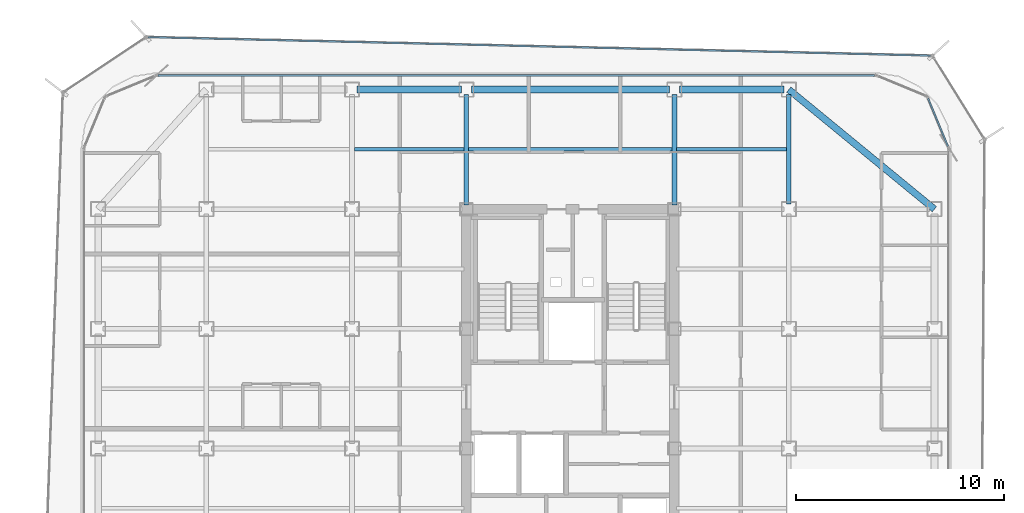
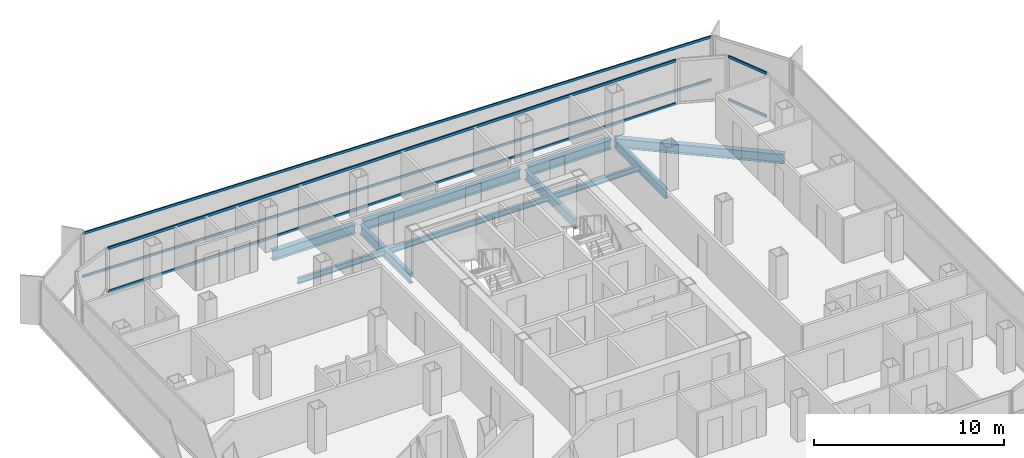
# One storey, part 7 of 16: 10 beams, 6 members, 3 elements without a shape of their own.
"""IFC4 building model written with IfcOpenShell, lengths in metres."""

from ifc_helpers import new_model, si_unit, direction, frame, origin, origin_2d, place, context, subcontext, project, spatial, hollow_rectangle, i_section, extrude, source, transform, mapped, material, layer, layer_set, material_profile, profile_set, type_object, element, aggregate, save


model = new_model("IFC4")

# Units and contexts
model_context = context("Model", 3, precision=1e-05, world=origin(), true_north=direction((0.0, 1.0)))
body_context = subcontext(model_context, "Body", "Model", "MODEL_VIEW")
ifc_project = project(units=[si_unit("LENGTHUNIT", "METRE"), si_unit("AREAUNIT", "SQUARE_METRE"), si_unit("VOLUMEUNIT", "CUBIC_METRE"), si_unit("PLANEANGLEUNIT", "RADIAN"), si_unit("MASSUNIT", "GRAM", prefix="KILO")], contexts=[model_context])

# Site, building, storey
site_placement = place(None, origin())
site = spatial("IfcSite", under=ifc_project, at=site_placement, CompositionType="ELEMENT")
building_placement = place(site_placement, origin())
building = spatial("IfcBuilding", under=site, at=building_placement, Name="Kolveth Station Tower", CompositionType="ELEMENT")
storey_placement = place(building_placement, frame((0.0, 0.0, 212.39990234375)))
storey = spatial("IfcBuildingStorey", under=building, at=storey_placement, Name="L60", CompositionType="ELEMENT", Elevation=212.39990234375)

# Beams
ifc_material_1 = material(Name="Steel S355", Category="steel")
ifc_material_profile_1 = material_profile(ifc_material_1, i_section(OverallWidth=0.323974609375, OverallDepth=0.611083984375, WebThickness=0.0126953125, FlangeThickness=0.01904296875, at=origin_2d()), Name="W610x155")
ifc_profile_set_1 = profile_set([ifc_material_profile_1], Name="Steel S355")
beam_type_1 = type_object("IfcBeamType", Name="Beam_SP2", PredefinedType="SPANDREL", material=ifc_profile_set_1)
shared_shape_1 = source(origin(), body_context, "Body", "SweptSolid", [
    extrude(i_section(OverallWidth=0.323974609375, OverallDepth=0.611083984375, WebThickness=0.0126953125, FlangeThickness=0.01904296875, at=origin_2d()), origin(), (0.0, 0.0, 1.0), 5.02001953125),
])
for number, where, z_axis, x_axis, name in (
    (1, (13.239990234375, 34.5, -0.555419921875), (1.0, 0.0, 0.0), (0.0, 1.0, 0.0), "L60 Perimeter Spandrel BM-L60-PN-2"),
    (2, (28.739990234375, 34.5, -0.555419921875), (1.0, 0.0, 0.0), (0.0, 1.0, 0.0), "L60 Perimeter Spandrel BM-L60-PN-4"),
):
    element("IfcBeam", number, at=place(storey_placement, frame(where, z_axis=z_axis, x_axis=x_axis)), inside=storey, type_object=beam_type_1, Name=name, PredefinedType="SPANDREL", context=body_context, shape_type="MappedRepresentation", body=[
        mapped(shared_shape_1, transform((0.0, 0.0, 0.0), x_axis=(1.0, 0.0, 0.0), y_axis=(0.0, 1.0, 0.0), z_axis=(0.0, 0.0, 1.0), scale=1.0)),
    ])
shared_shape_2 = source(origin(), body_context, "Body", "SweptSolid", [
    extrude(i_section(OverallWidth=0.323974609375, OverallDepth=0.611083984375, WebThickness=0.0126953125, FlangeThickness=0.01904296875, at=origin_2d()), origin(), (0.0, 0.0, 1.0), 9.52001953125),
])
beam_1_placement = place(storey_placement, frame((18.739990234375, 34.5, -0.555419921875), z_axis=(1.0, 0.0, 0.0), x_axis=(0.0, 1.0, 0.0)))
element("IfcBeam", 3, at=beam_1_placement, inside=storey, type_object=beam_type_1, Name="L60 Perimeter Spandrel BM-L60-PN-3", PredefinedType="SPANDREL", context=body_context, shape_type="MappedRepresentation", body=[
    mapped(shared_shape_2, transform((0.0, 0.0, 0.0), x_axis=(1.0, 0.0, 0.0), y_axis=(0.0, 1.0, 0.0), z_axis=(0.0, 0.0, 1.0), scale=1.0)),
])
shared_shape_3 = source(origin(), body_context, "Body", "SweptSolid", [
    extrude(i_section(OverallWidth=0.323974609375, OverallDepth=0.611083984375, WebThickness=0.0126953125, FlangeThickness=0.01904296875, at=origin_2d()), origin(), (0.0, 0.0, 1.0), 9.058837890625),
])
beam_2_placement = place(storey_placement, frame((41.0, 28.75, -0.555419921875), z_axis=(-0.772726254525, 0.63473942336, 0.0), x_axis=(-0.63473942336, -0.772726254525, 0.0)))
element("IfcBeam", 4, at=beam_2_placement, inside=storey, type_object=beam_type_1, Name="L60 Corner Edge Girder BM-L60-CNR-NE", PredefinedType="SPANDREL", context=body_context, shape_type="MappedRepresentation", body=[
    mapped(shared_shape_3, transform((0.0, 0.0, 0.0), x_axis=(1.0, 0.0, 0.0), y_axis=(0.0, 1.0, 0.0), z_axis=(0.0, 0.0, 1.0), scale=1.0)),
])
ifc_material_profile_2 = material_profile(ifc_material_1, i_section(OverallWidth=0.22900390625, OverallDepth=0.612060546875, WebThickness=0.011962890625, FlangeThickness=0.01953125, at=origin_2d()), Name="W610x125")
ifc_profile_set_2 = profile_set([ifc_material_profile_2], Name="Steel S355")
beam_type_2 = type_object("IfcBeamType", Name="Beam_B5", PredefinedType="BEAM", material=ifc_profile_set_2)
shared_shape_4 = source(origin(), body_context, "Body", "SweptSolid", [
    extrude(i_section(OverallWidth=0.22900390625, OverallDepth=0.612060546875, WebThickness=0.011962890625, FlangeThickness=0.01953125, at=origin_2d()), origin(), (0.0, 0.0, 1.0), 5.27001953125),
])
beam_3_placement = place(storey_placement, frame((34.0, 28.989990234375, -0.555908203125), z_axis=(0.0, 1.0, 0.0), x_axis=(-1.0, 0.0, 0.0)))
element("IfcBeam", 5, at=beam_3_placement, inside=storey, type_object=beam_type_2, Name="L60 Primary Girder BM-L60-GX340-6", PredefinedType="BEAM", context=body_context, shape_type="MappedRepresentation", body=[
    mapped(shared_shape_4, transform((0.0, 0.0, 0.0), x_axis=(1.0, 0.0, 0.0), y_axis=(0.0, 1.0, 0.0), z_axis=(0.0, 0.0, 1.0), scale=1.0)),
])
shared_shape_5 = source(origin(), body_context, "Body", "SweptSolid", [
    extrude(i_section(OverallWidth=0.22900390625, OverallDepth=0.612060546875, WebThickness=0.011962890625, FlangeThickness=0.01953125, at=origin_2d()), origin(), (0.0, 0.0, 1.0), 5.31005859375),
])
for number, where, z_axis, x_axis, name in (
    (6, (18.5, 28.949951171875, -0.555908203125), (0.0, 1.0, 0.0), (-1.0, 0.0, 0.0), "L60 Primary Girder BM-L60-GX185-6"),
    (7, (28.5, 28.949951171875, -0.555908203125), (0.0, 1.0, 0.0), (-1.0, 0.0, 0.0), "L60 Primary Girder BM-L60-GX285-6"),
):
    element("IfcBeam", number, at=place(storey_placement, frame(where, z_axis=z_axis, x_axis=x_axis)), inside=storey, type_object=beam_type_2, Name=name, PredefinedType="BEAM", context=body_context, shape_type="MappedRepresentation", body=[
        mapped(shared_shape_5, transform((0.0, 0.0, 0.0), x_axis=(1.0, 0.0, 0.0), y_axis=(0.0, 1.0, 0.0), z_axis=(0.0, 0.0, 1.0), scale=1.0)),
    ])
ifc_material_profile_3 = material_profile(ifc_material_1, i_section(OverallWidth=0.1708984375, OverallDepth=0.35205078125, WebThickness=0.0068359375, FlangeThickness=0.009765625, at=origin_2d()), Name="W360x44")
ifc_profile_set_3 = profile_set([ifc_material_profile_3], Name="Steel S355")
beam_type_3 = type_object("IfcBeamType", Name="Beam_J2", PredefinedType="JOIST", material=ifc_profile_set_3)
shared_shape_6 = source(origin(), body_context, "Body", "SweptSolid", [
    extrude(i_section(OverallWidth=0.1708984375, OverallDepth=0.35205078125, WebThickness=0.0068359375, FlangeThickness=0.009765625, at=origin_2d()), origin(), (0.0, 0.0, 1.0), 5.27490234375),
])
for number, where, z_axis, x_axis, name in (
    (8, (13.112548828125, 31.625, -0.42578125), (1.0, 0.0, 0.0), (0.0, 1.0, 0.0), "L60 Secondary Joist JST-L60-3-6"),
    (9, (28.612548828125, 31.625, -0.42578125), (1.0, 0.0, 0.0), (0.0, 1.0, 0.0), "L60 Secondary Joist JST-L60-5-6"),
):
    element("IfcBeam", number, at=place(storey_placement, frame(where, z_axis=z_axis, x_axis=x_axis)), inside=storey, type_object=beam_type_3, Name=name, PredefinedType="JOIST", context=body_context, shape_type="MappedRepresentation", body=[
        mapped(shared_shape_6, transform((0.0, 0.0, 0.0), x_axis=(1.0, 0.0, 0.0), y_axis=(0.0, 1.0, 0.0), z_axis=(0.0, 0.0, 1.0), scale=1.0)),
    ])
shared_shape_7 = source(origin(), body_context, "Body", "SweptSolid", [
    extrude(i_section(OverallWidth=0.1708984375, OverallDepth=0.35205078125, WebThickness=0.0068359375, FlangeThickness=0.009765625, at=origin_2d()), origin(), (0.0, 0.0, 1.0), 9.77490234375),
])
beam_4_placement = place(storey_placement, frame((18.612548828125, 31.625, -0.42578125), z_axis=(1.0, 0.0, 0.0), x_axis=(0.0, 1.0, 0.0)))
element("IfcBeam", 10, at=beam_4_placement, inside=storey, type_object=beam_type_3, Name="L60 Secondary Joist JST-L60-4-6", PredefinedType="JOIST", context=body_context, shape_type="MappedRepresentation", body=[
    mapped(shared_shape_7, transform((0.0, 0.0, 0.0), x_axis=(1.0, 0.0, 0.0), y_axis=(0.0, 1.0, 0.0), z_axis=(0.0, 0.0, 1.0), scale=1.0)),
])

# Curtain wall, members
ifc_material_2 = material(Name="Aluminium 6063-T6 and low-E dark glass", Category="aluminium")
ifc_layer_1 = layer(ifc_material_2, 0.18994140625)
ifc_layer_set_1 = layer_set([ifc_layer_1], Name="Aluminium 6063-T6 and low-E dark glass")
curtain_wall_type_1 = type_object("IfcCurtainWallType", Name="CurtainWall_CW-Z2", PredefinedType="NOTDEFINED", material=ifc_layer_set_1)
curtain_wall_1_placement = place(storey_placement, origin())
curtain_wall_1 = element("IfcCurtainWall", 11, at=curtain_wall_1_placement, inside=storey, type_object=curtain_wall_type_1, Name="L60 Inner Thermal Curtain Wall 4", PredefinedType="NOTDEFINED")
ifc_material_3 = material(Name="Black anodized aluminium 6063-T6", Category="aluminium")
ifc_material_profile_4 = material_profile(ifc_material_3, hollow_rectangle(XDim=0.080078125, YDim=0.169921875, WallThickness=0.0048828125, at=origin_2d()), Name="ALU-80x170x5")
ifc_profile_set_4 = profile_set([ifc_material_profile_4], Name="Black anodized aluminium 6063-T6")
member_type_1 = type_object("IfcMemberType", Name="Transom_TR2", PredefinedType="USERDEFINED", material=ifc_profile_set_4)
shared_shape_8 = source(origin(), body_context, "Body", "SweptSolid", [
    extrude(hollow_rectangle(XDim=0.080078125, YDim=0.169921875, WallThickness=0.0048828125, at=origin_2d()), origin(), (0.0, 0.0, 1.0), 2.50341796875),
])
member_1_placement = place(storey_placement, frame((41.6494140625, 31.77392578125, 0.0400390625), z_axis=(-0.382696328882, 0.923874190494, 0.0), x_axis=(-0.923874190494, -0.382696328882, 0.0)))
member_1 = element("IfcMember", 12, at=member_1_placement, type_object=member_type_1, Name="CW-Z2 transom 1.1", ObjectType="TRANSOM", PredefinedType="USERDEFINED", context=body_context, shape_type="MappedRepresentation", body=[
    mapped(shared_shape_8, transform((0.0, 0.0, 0.0), x_axis=(1.0, 0.0, 0.0), y_axis=(0.0, 1.0, 0.0), z_axis=(0.0, 0.0, 1.0), scale=1.0)),
])
member_2_placement = place(storey_placement, frame((41.6494140625, 31.77392578125, 2.800048828125), z_axis=(-0.382696328882, 0.923874190494, 0.0), x_axis=(-0.923874190494, -0.382696328882, 0.0)))
member_2 = element("IfcMember", 13, at=member_2_placement, type_object=member_type_1, Name="CW-Z2 transom 1.2", ObjectType="TRANSOM", PredefinedType="USERDEFINED", context=body_context, shape_type="MappedRepresentation", body=[
    mapped(shared_shape_8, transform((0.0, 0.0, 0.0), x_axis=(1.0, 0.0, 0.0), y_axis=(0.0, 1.0, 0.0), z_axis=(0.0, 0.0, 1.0), scale=1.0)),
])
aggregate(curtain_wall_1, [member_1, member_2])

curtain_wall_2_placement = place(storey_placement, origin())
curtain_wall_2 = element("IfcCurtainWall", 14, at=curtain_wall_2_placement, inside=storey, type_object=curtain_wall_type_1, Name="L60 Inner Thermal Curtain Wall 6", PredefinedType="NOTDEFINED")
shared_shape_9 = source(origin(), body_context, "Body", "SweptSolid", [
    extrude(hollow_rectangle(XDim=0.080078125, YDim=0.169921875, WallThickness=0.0048828125, at=origin_2d()), origin(), (0.0, 0.0, 1.0), 34.440185546875),
])
member_3_placement = place(storey_placement, frame((38.1201171875, 35.179931640625, 0.0400390625), z_axis=(-1.0, 0.0, 0.0), x_axis=(0.0, -1.0, 0.0)))
member_3 = element("IfcMember", 15, at=member_3_placement, type_object=member_type_1, Name="CW-Z2 transom 1.1", ObjectType="TRANSOM", PredefinedType="USERDEFINED", context=body_context, shape_type="MappedRepresentation", body=[
    mapped(shared_shape_9, transform((0.0, 0.0, 0.0), x_axis=(1.0, 0.0, 0.0), y_axis=(0.0, 1.0, 0.0), z_axis=(0.0, 0.0, 1.0), scale=1.0)),
])
member_4_placement = place(storey_placement, frame((38.1201171875, 35.179931640625, 2.800048828125), z_axis=(-1.0, 0.0, 0.0), x_axis=(0.0, -1.0, 0.0)))
member_4 = element("IfcMember", 16, at=member_4_placement, type_object=member_type_1, Name="CW-Z2 transom 1.2", ObjectType="TRANSOM", PredefinedType="USERDEFINED", context=body_context, shape_type="MappedRepresentation", body=[
    mapped(shared_shape_9, transform((0.0, 0.0, 0.0), x_axis=(1.0, 0.0, 0.0), y_axis=(0.0, 1.0, 0.0), z_axis=(0.0, 0.0, 1.0), scale=1.0)),
])
aggregate(curtain_wall_2, [member_3, member_4])

ifc_material_4 = material(Name="Black anodized aluminium 6063-T6 and dark solar glass", Category="aluminium")
ifc_layer_2 = layer(ifc_material_4, 0.159912109375)
ifc_layer_set_2 = layer_set([ifc_layer_2], Name="Black anodized aluminium 6063-T6 and dark solar glass")
curtain_wall_type_2 = type_object("IfcCurtainWallType", Name="OUTER SKIN CW-OS", PredefinedType="NOTDEFINED", material=ifc_layer_set_2)
curtain_wall_3_placement = place(storey_placement, origin())
curtain_wall_3 = element("IfcCurtainWall", 17, at=curtain_wall_3_placement, inside=storey, type_object=curtain_wall_type_2, Name="L60 Outer Ventilated Skin Curtain Wall 4", PredefinedType="NOTDEFINED")
ifc_material_profile_5 = material_profile(ifc_material_3, hollow_rectangle(XDim=0.080078125, YDim=0.14990234375, WallThickness=0.0048828125, at=origin_2d()), Name="ALU-80x150x5")
ifc_profile_set_5 = profile_set([ifc_material_profile_5], Name="Black anodized aluminium 6063-T6")
member_type_2 = type_object("IfcMemberType", Name="Transom_TR-OS", PredefinedType="USERDEFINED", material=ifc_profile_set_5)
shared_shape_10 = source(origin(), body_context, "Body", "SweptSolid", [
    extrude(hollow_rectangle(XDim=0.080078125, YDim=0.14990234375, WallThickness=0.0048828125, at=origin_2d()), origin(), (0.0, 0.0, 1.0), 37.62939453125),
])
member_5_placement = place(storey_placement, frame((40.8212890625, 36.130859375, 0.0400390625), z_axis=(-0.999719866438, 0.023668304742, 0.0), x_axis=(-0.023668304742, -0.999719866438, 0.0)))
member_5 = element("IfcMember", 18, at=member_5_placement, type_object=member_type_2, Name="CW-OS transom 1.1", ObjectType="TRANSOM", PredefinedType="USERDEFINED", context=body_context, shape_type="MappedRepresentation", body=[
    mapped(shared_shape_10, transform((0.0, 0.0, 0.0), x_axis=(1.0, 0.0, 0.0), y_axis=(0.0, 1.0, 0.0), z_axis=(0.0, 0.0, 1.0), scale=1.0)),
])
member_6_placement = place(storey_placement, frame((40.8212890625, 36.130859375, 2.800048828125), z_axis=(-0.999719866438, 0.023668304742, 0.0), x_axis=(-0.023668304742, -0.999719866438, 0.0)))
member_6 = element("IfcMember", 19, at=member_6_placement, type_object=member_type_2, Name="CW-OS transom 1.2", ObjectType="TRANSOM", PredefinedType="USERDEFINED", context=body_context, shape_type="MappedRepresentation", body=[
    mapped(shared_shape_10, transform((0.0, 0.0, 0.0), x_axis=(1.0, 0.0, 0.0), y_axis=(0.0, 1.0, 0.0), z_axis=(0.0, 0.0, 1.0), scale=1.0)),
])
aggregate(curtain_wall_3, [member_5, member_6])

save(model, "model.ifc")
